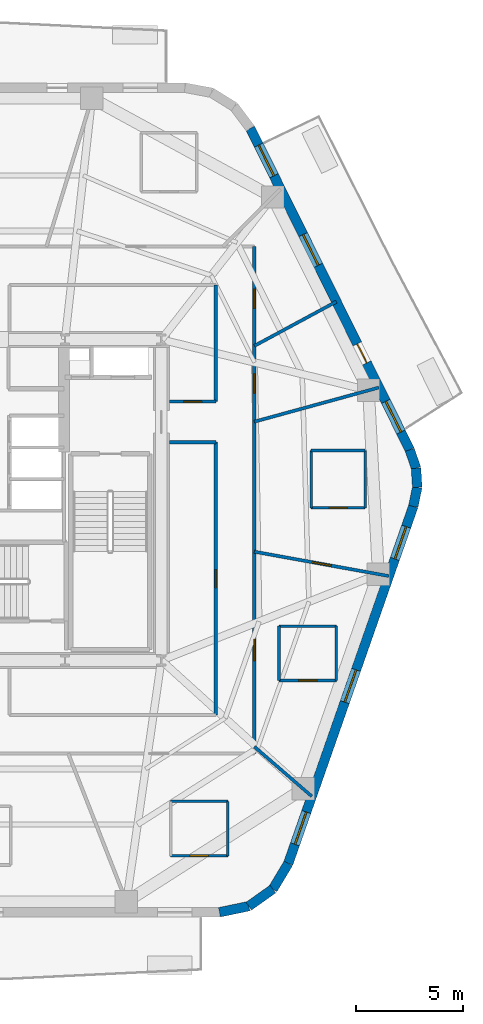
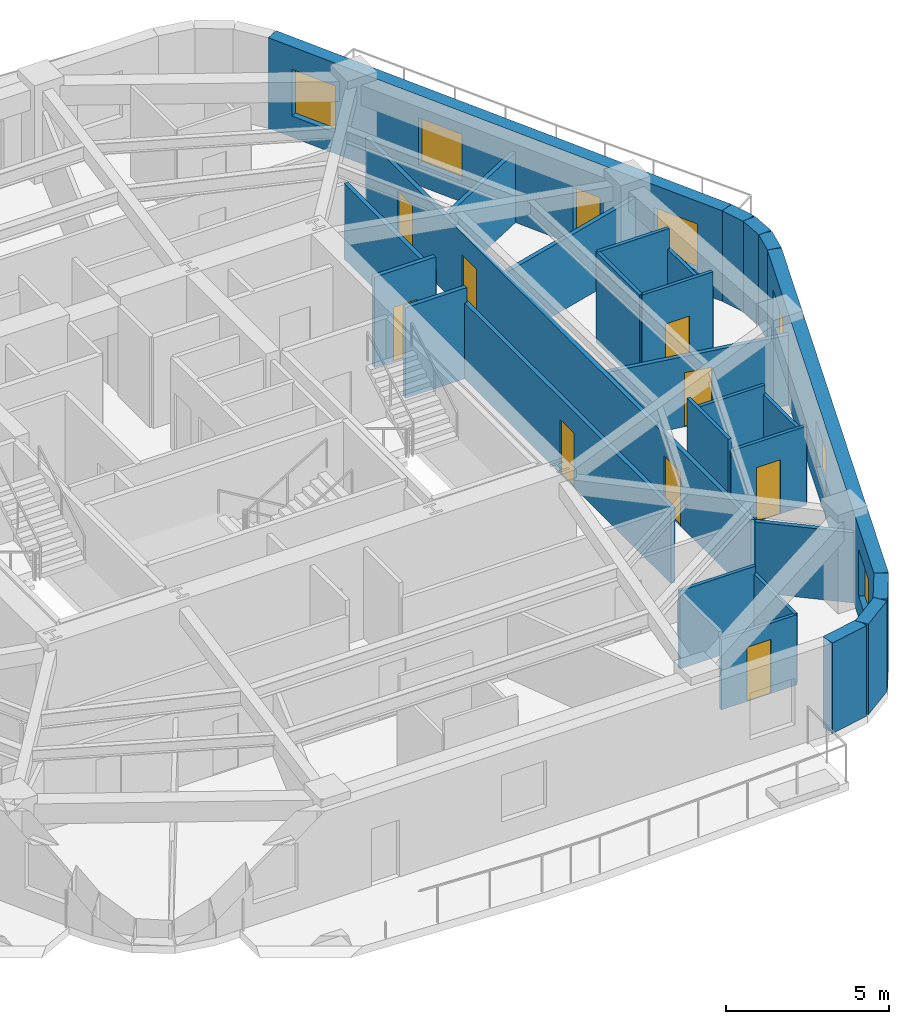
# One storey, part 5 of 10: 28 walls, 10 doors, 6 windows, 16 openings.
"""IFC4 building model written with IfcOpenShell, lengths in metres."""

from ifc_helpers import new_model, si_unit, direction, frame, frame_2d, origin, place, context, subcontext, project, spatial, rectangle, extrude, material, layer, layer_set, type_object, element, fill, save


model = new_model("IFC4")

# Units and contexts
model_context = context("Model", 3, precision=1e-05, world=origin(), true_north=direction((0.0, 1.0)))
body_context = subcontext(model_context, "Body", "Model", "MODEL_VIEW")
ifc_project = project(units=[si_unit("LENGTHUNIT", "METRE"), si_unit("AREAUNIT", "SQUARE_METRE"), si_unit("VOLUMEUNIT", "CUBIC_METRE"), si_unit("PLANEANGLEUNIT", "RADIAN"), si_unit("MASSUNIT", "GRAM", prefix="KILO")], contexts=[model_context])

# Site, building, storey
site_placement = place(None, origin())
site = spatial("IfcSite", under=ifc_project, at=site_placement, CompositionType="ELEMENT")
building_placement = place(site_placement, origin())
building = spatial("IfcBuilding", under=site, at=building_placement, Name="Kilnhurst Terrace Hotel", CompositionType="ELEMENT")
storey_placement = place(building_placement, frame((0.0, 0.0, 186.699951171875)))
storey = spatial("IfcBuildingStorey", under=building, at=storey_placement, Name="L46", CompositionType="ELEMENT", Elevation=186.699951171875)

# Walls
ifc_material_1 = material(Name="Precast concrete C40/50", Category="concrete")
ifc_layer_1 = layer(ifc_material_1, 0.449951171875, Name="Precast concrete C40/50")
ifc_layer_set_1 = layer_set([ifc_layer_1], Name="Precast concrete C40/50")
wall_type_1 = type_object("IfcWallType", Name="WL-BRK-450", PredefinedType="SOLIDWALL", material=ifc_layer_set_1)
wall_1_placement = place(storey_placement, frame((11.720458984375, -19.27490234375, 0.0), z_axis=(0.0, 0.0, 1.0), x_axis=(0.97893106758, 0.204191001093, 0.0)))
element("IfcWall", 1, at=wall_1_placement, inside=storey, type_object=wall_type_1, Name="L46 Rounded Corner Brick Wall C2.1", PredefinedType="SOLIDWALL", context=body_context, shape_type="SweptSolid", body=[
    extrude(rectangle(XDim=1.400146484375, YDim=0.449951171875, at=frame_2d((0.7001953125, 0.0))), origin(), (0.0, 0.0, 1.0), 3.400146484375),
])
wall_2_placement = place(storey_placement, frame((13.091064453125, -18.989013671875, 0.0), z_axis=(0.0, 0.0, 1.0), x_axis=(0.815574637848, 0.578651890258, 0.0)))
element("IfcWall", 2, at=wall_2_placement, inside=storey, type_object=wall_type_1, Name="L46 Rounded Corner Brick Wall C2.2", PredefinedType="SOLIDWALL", context=body_context, shape_type="SweptSolid", body=[
    extrude(rectangle(XDim=1.376708984375, YDim=0.449951171875, at=frame_2d((0.6884765625, 0.0))), origin(), (0.0, 0.0, 1.0), 3.400146484375),
])
wall_3_placement = place(storey_placement, frame((14.2138671875, -18.1923828125, 0.0), z_axis=(0.0, 0.0, 1.0), x_axis=(0.516340945502, 0.856383108193, 0.0)))
element("IfcWall", 3, at=wall_3_placement, inside=storey, type_object=wall_type_1, Name="L46 Rounded Corner Brick Wall C2.3", PredefinedType="SOLIDWALL", context=body_context, shape_type="SweptSolid", body=[
    extrude(rectangle(XDim=1.400146484375, YDim=0.449951171875, at=frame_2d((0.7001953125, 0.0))), origin(), (0.0, 0.0, 1.0), 3.400146484375),
])
wall_4_placement = place(storey_placement, frame((20.78173828125, -0.298095703125, 0.0), z_axis=(0.0, 0.0, 1.0), x_axis=(0.202570068411, 0.979267771033, 0.0)))
element("IfcWall", 4, at=wall_4_placement, inside=storey, type_object=wall_type_1, Name="L46 Rounded Corner Brick Wall C3.1", PredefinedType="SOLIDWALL", context=body_context, shape_type="SweptSolid", body=[
    extrude(rectangle(XDim=0.90869140625, YDim=0.449951171875, at=frame_2d((0.454345703125, 0.0))), origin(), (0.0, 0.0, 1.0), 3.400146484375),
])
wall_5_placement = place(storey_placement, frame((20.9658203125, 0.591796875, 0.0), z_axis=(0.0, 0.0, 1.0), x_axis=(-0.061748898935, 0.998091715966, 0.0)))
element("IfcWall", 5, at=wall_5_placement, inside=storey, type_object=wall_type_1, Name="L46 Rounded Corner Brick Wall C3.2", PredefinedType="SOLIDWALL", context=body_context, shape_type="SweptSolid", body=[
    extrude(rectangle(XDim=0.8935546875, YDim=0.449951171875, at=frame_2d((0.44677734375, 0.0))), origin(), (0.0, 0.0, 1.0), 3.400146484375),
])
wall_6_placement = place(storey_placement, frame((20.91064453125, 1.483642578125, 0.0), z_axis=(0.0, 0.0, 1.0), x_axis=(-0.321623334353, 0.946867694453, 0.0)))
element("IfcWall", 6, at=wall_6_placement, inside=storey, type_object=wall_type_1, Name="L46 Rounded Corner Brick Wall C3.3", PredefinedType="SOLIDWALL", context=body_context, shape_type="SweptSolid", body=[
    extrude(rectangle(XDim=0.90869140625, YDim=0.449951171875, at=frame_2d((0.454345703125, 0.0))), origin(), (0.0, 0.0, 1.0), 3.400146484375),
])

# Wall, openings, windows
wall_7_placement = place(storey_placement, frame((14.936767578125, -16.993408203125, 0.0), z_axis=(0.0, 0.0, 1.0), x_axis=(0.330431575061, 0.943829949834, 0.0)))
wall_7 = element("IfcWall", 7, at=wall_7_placement, inside=storey, type_object=wall_type_1, Name="L46 Exterior Brick Facade Wall F2", PredefinedType="SOLIDWALL", context=body_context, shape_type="SweptSolid", body=[
    extrude(rectangle(XDim=17.68896484375, YDim=0.449951171875, at=frame_2d((8.844482421875, 0.0))), origin(), (0.0, 0.0, 1.0), 3.400146484375),
])
opening_1_placement = place(wall_7_placement, frame((0.949951171875, 0.0, 0.800048828125)))
opening_1 = element("IfcOpeningElement", 8, at=opening_1_placement, cuts=wall_7, Name="Opening W-05", PredefinedType="OPENING", context=body_context, shape_type="SweptSolid", body=[
    extrude(rectangle(XDim=1.60009765625, YDim=1.75, at=frame_2d((0.800048828125, 0.875))), frame((0.0, 0.23486328125, 0.0), z_axis=(0.0, -1.0, 0.0), x_axis=(1.0, 0.0, 0.0)), (0.0, 0.0, 1.0), 0.469970703125),
])
opening_2_placement = place(wall_7_placement, frame((7.989990234375, 0.0, 0.800048828125)))
opening_2 = element("IfcOpeningElement", 9, at=opening_2_placement, cuts=wall_7, Name="Opening W-05", PredefinedType="OPENING", context=body_context, shape_type="SweptSolid", body=[
    extrude(rectangle(XDim=1.60009765625, YDim=1.75, at=frame_2d((0.800048828125, 0.875))), frame((0.0, 0.23486328125, 0.0), z_axis=(0.0, -1.0, 0.0), x_axis=(1.0, 0.0, 0.0)), (0.0, 0.0, 1.0), 0.469970703125),
])
opening_3_placement = place(wall_7_placement, frame((15.083984375, 0.0, 0.800048828125)))
opening_3 = element("IfcOpeningElement", 10, at=opening_3_placement, cuts=wall_7, Name="Opening W-05", PredefinedType="OPENING", context=body_context, shape_type="SweptSolid", body=[
    extrude(rectangle(XDim=1.60009765625, YDim=1.75, at=frame_2d((0.800048828125, 0.875))), frame((0.0, 0.23486328125, 0.0), z_axis=(0.0, -1.0, 0.0), x_axis=(1.0, 0.0, 0.0)), (0.0, 0.0, 1.0), 0.469970703125),
])
ifc_material_2 = material(Name="Thermally Broken Bronze Aluminium Alloy 6063-T6 and Low-E Glass", Category="aluminium")
window_type = type_object("IfcWindowType", Name="WIN-1600X1750", PartitioningType="SINGLE_PANEL", PredefinedType="WINDOW", material=ifc_material_2)
window_1_placement = place(opening_1_placement, origin())
window_1 = element("IfcWindow", 11, at=window_1_placement, inside=storey, type_object=window_type, Name="L46 Deep-Set Masonry Window F2.1", OverallHeight=1.75, OverallWidth=1.60009765625, PartitioningType="SINGLE_PANEL", PredefinedType="WINDOW", context=body_context, shape_type="SweptSolid", body=[
    extrude(rectangle(XDim=1.60009765625, YDim=1.75, at=frame_2d((0.800048828125, 0.875))), frame((0.0, 0.030029296875, 0.0), z_axis=(0.0, -1.0, 0.0), x_axis=(1.0, 0.0, 0.0)), (0.0, 0.0, 1.0), 0.06005859375),
])
fill(opening_1, window_1)
window_2_placement = place(opening_2_placement, origin())
window_2 = element("IfcWindow", 12, at=window_2_placement, inside=storey, type_object=window_type, Name="L46 Deep-Set Masonry Window F2.2", OverallHeight=1.75, OverallWidth=1.60009765625, PartitioningType="SINGLE_PANEL", PredefinedType="WINDOW", context=body_context, shape_type="SweptSolid", body=[
    extrude(rectangle(XDim=1.60009765625, YDim=1.75, at=frame_2d((0.800048828125, 0.875))), frame((0.0, 0.030029296875, 0.0), z_axis=(0.0, -1.0, 0.0), x_axis=(1.0, 0.0, 0.0)), (0.0, 0.0, 1.0), 0.06005859375),
])
fill(opening_2, window_2)
window_3_placement = place(opening_3_placement, origin())
window_3 = element("IfcWindow", 13, at=window_3_placement, inside=storey, type_object=window_type, Name="L46 Deep-Set Masonry Window F2.3", OverallHeight=1.75, OverallWidth=1.60009765625, PartitioningType="SINGLE_PANEL", PredefinedType="WINDOW", context=body_context, shape_type="SweptSolid", body=[
    extrude(rectangle(XDim=1.60009765625, YDim=1.75, at=frame_2d((0.800048828125, 0.875))), frame((0.0, 0.030029296875, 0.0), z_axis=(0.0, -1.0, 0.0), x_axis=(1.0, 0.0, 0.0)), (0.0, 0.0, 1.0), 0.06005859375),
])
fill(opening_3, window_3)

# Wall, openings, door, windows
wall_8_placement = place(storey_placement, frame((20.618408203125, 2.343994140625, 0.0), z_axis=(0.0, 0.0, 1.0), x_axis=(-0.444243691097, 0.895905990002, 0.0)))
wall_8 = element("IfcWall", 14, at=wall_8_placement, inside=storey, type_object=wall_type_1, Name="L46 Exterior Brick Facade Wall F3", PredefinedType="SOLIDWALL", context=body_context, shape_type="SweptSolid", body=[
    extrude(rectangle(XDim=16.78369140625, YDim=0.449951171875, at=frame_2d((8.391845703125, 0.0))), origin(), (0.0, 0.0, 1.0), 3.400146484375),
])
opening_4_placement = place(wall_8_placement, frame((4.534912109375, 0.0, 0.0)))
opening_4 = element("IfcOpeningElement", 15, at=opening_4_placement, cuts=wall_8, Name="Opening BD-1000", PredefinedType="OPENING", context=body_context, shape_type="SweptSolid", body=[
    extrude(rectangle(XDim=1.0, YDim=2.14990234375, at=frame_2d((0.5, 1.074951171875))), frame((0.0, 0.23486328125, 0.0), z_axis=(0.0, -1.0, 0.0), x_axis=(1.0, 0.0, 0.0)), (0.0, 0.0, 1.0), 0.469970703125),
])
opening_5_placement = place(wall_8_placement, frame((9.633056640625, 0.0, 0.800048828125)))
opening_5 = element("IfcOpeningElement", 16, at=opening_5_placement, cuts=wall_8, Name="Opening W-05", PredefinedType="OPENING", context=body_context, shape_type="SweptSolid", body=[
    extrude(rectangle(XDim=1.60009765625, YDim=1.75, at=frame_2d((0.800048828125, 0.875))), frame((0.0, 0.23486328125, 0.0), z_axis=(0.0, -1.0, 0.0), x_axis=(1.0, 0.0, 0.0)), (0.0, 0.0, 1.0), 0.469970703125),
])
opening_6_placement = place(wall_8_placement, frame((14.302978515625, 0.0, 0.800048828125)))
opening_6 = element("IfcOpeningElement", 17, at=opening_6_placement, cuts=wall_8, Name="Opening W-05", PredefinedType="OPENING", context=body_context, shape_type="SweptSolid", body=[
    extrude(rectangle(XDim=1.60009765625, YDim=1.75, at=frame_2d((0.800048828125, 0.875))), frame((0.0, 0.23486328125, 0.0), z_axis=(0.0, -1.0, 0.0), x_axis=(1.0, 0.0, 0.0)), (0.0, 0.0, 1.0), 0.469970703125),
])
opening_7_placement = place(wall_8_placement, frame((0.930908203125, 0.0, 0.800048828125)))
opening_7 = element("IfcOpeningElement", 18, at=opening_7_placement, cuts=wall_8, Name="Opening W-05", PredefinedType="OPENING", context=body_context, shape_type="SweptSolid", body=[
    extrude(rectangle(XDim=1.60009765625, YDim=1.75, at=frame_2d((0.800048828125, 0.875))), frame((0.0, 0.23486328125, 0.0), z_axis=(0.0, -1.0, 0.0), x_axis=(1.0, 0.0, 0.0)), (0.0, 0.0, 1.0), 0.469970703125),
])
ifc_material_3 = material(Name="Thermally Broken Bronze Aluminium Alloy 6063-T6 and Laminated Glass", Category="aluminium")
door_type_1 = type_object("IfcDoorType", Name="DR-EXT-BAL-1000", OperationType="NOTDEFINED", PredefinedType="DOOR", material=ifc_material_3)
door_1_placement = place(opening_4_placement, origin())
door_1 = element("IfcDoor", 19, at=door_1_placement, inside=storey, type_object=door_type_1, Name="L46 Planted Balcony Door BAL-L1A", OperationType="SINGLE_SWING_LEFT", OverallHeight=2.14990234375, OverallWidth=1.0, PredefinedType="DOOR", context=body_context, shape_type="SweptSolid", body=[
    extrude(rectangle(XDim=1.0, YDim=2.14990234375, at=frame_2d((0.5, 1.074951171875))), frame((0.0, 0.02490234375, 0.0), z_axis=(0.0, -1.0, 0.0), x_axis=(1.0, 0.0, 0.0)), (0.0, 0.0, 1.0), 0.050048828125),
])
fill(opening_4, door_1)
window_4_placement = place(opening_5_placement, origin())
window_4 = element("IfcWindow", 20, at=window_4_placement, inside=storey, type_object=window_type, Name="L46 Deep-Set Masonry Window F3.1", OverallHeight=1.75, OverallWidth=1.60009765625, PartitioningType="SINGLE_PANEL", PredefinedType="WINDOW", context=body_context, shape_type="SweptSolid", body=[
    extrude(rectangle(XDim=1.60009765625, YDim=1.75, at=frame_2d((0.800048828125, 0.875))), frame((0.0, 0.030029296875, 0.0), z_axis=(0.0, -1.0, 0.0), x_axis=(1.0, 0.0, 0.0)), (0.0, 0.0, 1.0), 0.06005859375),
])
fill(opening_5, window_4)
window_5_placement = place(opening_6_placement, origin())
window_5 = element("IfcWindow", 21, at=window_5_placement, inside=storey, type_object=window_type, Name="L46 Deep-Set Masonry Window F3.2", OverallHeight=1.75, OverallWidth=1.60009765625, PartitioningType="SINGLE_PANEL", PredefinedType="WINDOW", context=body_context, shape_type="SweptSolid", body=[
    extrude(rectangle(XDim=1.60009765625, YDim=1.75, at=frame_2d((0.800048828125, 0.875))), frame((0.0, 0.030029296875, 0.0), z_axis=(0.0, -1.0, 0.0), x_axis=(1.0, 0.0, 0.0)), (0.0, 0.0, 1.0), 0.06005859375),
])
fill(opening_6, window_5)
window_6_placement = place(opening_7_placement, origin())
window_6 = element("IfcWindow", 22, at=window_6_placement, inside=storey, type_object=window_type, Name="L46 Deep-Set Masonry Window F3.3", OverallHeight=1.75, OverallWidth=1.60009765625, PartitioningType="SINGLE_PANEL", PredefinedType="WINDOW", context=body_context, shape_type="SweptSolid", body=[
    extrude(rectangle(XDim=1.60009765625, YDim=1.75, at=frame_2d((0.800048828125, 0.875))), frame((0.0, 0.030029296875, 0.0), z_axis=(0.0, -1.0, 0.0), x_axis=(1.0, 0.0, 0.0)), (0.0, 0.0, 1.0), 0.06005859375),
])
fill(opening_7, window_6)

# Wall, openings, doors
ifc_material_4 = material(Name="Acoustic Double-Gypsum Corridor Partition Assembly")
ifc_layer_2 = layer(ifc_material_4, 0.14990234375, Name="Acoustic Double-Gypsum Corridor Partition Assembly")
ifc_layer_set_2 = layer_set([ifc_layer_2], Name="Acoustic Double-Gypsum Corridor Partition Assembly")
wall_type_2 = type_object("IfcWallType", Name="WL-COR-150", PredefinedType="PARTITIONING", material=ifc_layer_set_2)
wall_9_placement = place(storey_placement, frame((13.35009765625, 11.85009765625, 0.0), z_axis=(0.0, 0.0, 1.0), x_axis=(0.0, -1.0, 0.0)))
wall_9 = element("IfcWall", 23, at=wall_9_placement, inside=storey, type_object=wall_type_2, Name="L46 Interior Wall WL-L46-COR-04", PredefinedType="PARTITIONING", context=body_context, shape_type="SweptSolid", body=[
    extrude(rectangle(XDim=23.7001953125, YDim=0.14990234375, at=frame_2d((11.85009765625, 0.0))), origin(), (0.0, 0.0, 1.0), 2.840087890625),
])
opening_8_placement = place(wall_9_placement, frame((5.950927734375, 0.0, 0.0)))
opening_8 = element("IfcOpeningElement", 24, at=opening_8_placement, cuts=wall_9, Name="Opening D-60C", PredefinedType="OPENING", context=body_context, shape_type="SweptSolid", body=[
    extrude(rectangle(XDim=0.89990234375, YDim=2.030029296875, at=frame_2d((0.449951171875, 1.01513671875))), frame((0.0, 0.0849609375, 0.0), z_axis=(0.0, -1.0, 0.0), x_axis=(1.0, 0.0, 0.0)), (0.0, 0.0, 1.0), 0.169921875),
])
opening_9_placement = place(wall_9_placement, frame((1.992919921875, 0.0, 0.0)))
opening_9 = element("IfcOpeningElement", 25, at=opening_9_placement, cuts=wall_9, Name="Opening D-60C", PredefinedType="OPENING", context=body_context, shape_type="SweptSolid", body=[
    extrude(rectangle(XDim=0.89990234375, YDim=2.030029296875, at=frame_2d((0.449951171875, 1.01513671875))), frame((0.0, 0.0849609375, 0.0), z_axis=(0.0, -1.0, 0.0), x_axis=(1.0, 0.0, 0.0)), (0.0, 0.0, 1.0), 0.169921875),
])
opening_10_placement = place(wall_9_placement, frame((18.364013671875, 0.0, 0.0)))
opening_10 = element("IfcOpeningElement", 26, at=opening_10_placement, cuts=wall_9, Name="Opening D-60A", PredefinedType="OPENING", context=body_context, shape_type="SweptSolid", body=[
    extrude(rectangle(XDim=1.0, YDim=2.030029296875, at=frame_2d((0.5, 1.01513671875))), frame((0.0, 0.0849609375, 0.0), z_axis=(0.0, -1.0, 0.0), x_axis=(1.0, 0.0, 0.0)), (0.0, 0.0, 1.0), 0.169921875),
])
ifc_material_5 = material(Name="Acoustic Walnut Veneer Solid-Core Fire Door")
door_type_2 = type_object("IfcDoorType", Name="DR-FD60-1000", OperationType="NOTDEFINED", PredefinedType="DOOR", material=ifc_material_5)
door_2_placement = place(opening_10_placement, origin())
door_2 = element("IfcDoor", 27, at=door_2_placement, inside=storey, type_object=door_type_2, Name="L46 Sky Residence Entry Door 13", OperationType="SINGLE_SWING_LEFT", OverallHeight=2.030029296875, OverallWidth=1.0, PredefinedType="DOOR", context=body_context, shape_type="SweptSolid", body=[
    extrude(rectangle(XDim=1.0, YDim=2.030029296875, at=frame_2d((0.5, 1.01513671875))), frame((0.0, 0.02490234375, 0.0), z_axis=(0.0, -1.0, 0.0), x_axis=(1.0, 0.0, 0.0)), (0.0, 0.0, 1.0), 0.050048828125),
])
fill(opening_10, door_2)
ifc_material_6 = material(Name="Painted Solid-Core Service Fire Door")
door_type_3 = type_object("IfcDoorType", Name="DR-FD60-900", OperationType="NOTDEFINED", PredefinedType="DOOR", material=ifc_material_6)
door_3_placement = place(opening_8_placement, origin())
door_3 = element("IfcDoor", 28, at=door_3_placement, inside=storey, type_object=door_type_3, Name="L46 Private Study Salon Door 1", OperationType="SINGLE_SWING_LEFT", OverallHeight=2.030029296875, OverallWidth=0.89990234375, PredefinedType="DOOR", context=body_context, shape_type="SweptSolid", body=[
    extrude(rectangle(XDim=0.89990234375, YDim=2.030029296875, at=frame_2d((0.449951171875, 1.01513671875))), frame((0.0, 0.02490234375, 0.0), z_axis=(0.0, -1.0, 0.0), x_axis=(1.0, 0.0, 0.0)), (0.0, 0.0, 1.0), 0.050048828125),
])
fill(opening_8, door_3)
door_4_placement = place(opening_9_placement, origin())
door_4 = element("IfcDoor", 29, at=door_4_placement, inside=storey, type_object=door_type_3, Name="L46 Executive Work Office Door 2", OperationType="SINGLE_SWING_RIGHT", OverallHeight=2.030029296875, OverallWidth=0.89990234375, PredefinedType="DOOR", context=body_context, shape_type="SweptSolid", body=[
    extrude(rectangle(XDim=0.89990234375, YDim=2.030029296875, at=frame_2d((0.449951171875, 1.01513671875))), frame((0.0, 0.02490234375, 0.0), z_axis=(0.0, -1.0, 0.0), x_axis=(1.0, 0.0, 0.0)), (0.0, 0.0, 1.0), 0.050048828125),
])
fill(opening_9, door_4)

# Wall, opening, door
wall_10_placement = place(storey_placement, frame((11.550048828125, -10.050048828125, 0.0), z_axis=(0.0, 0.0, 1.0), x_axis=(0.0, 1.0, 0.0)))
wall_10 = element("IfcWall", 30, at=wall_10_placement, inside=storey, type_object=wall_type_2, Name="L46 Interior Wall WL-L46-COR-05", PredefinedType="PARTITIONING", context=body_context, shape_type="SweptSolid", body=[
    extrude(rectangle(XDim=12.75, YDim=0.14990234375, at=frame_2d((6.375, 0.0))), origin(), (0.0, 0.0, 1.0), 2.840087890625),
])
opening_11_placement = place(wall_10_placement, frame((5.949951171875, 0.0, 0.0)))
opening_11 = element("IfcOpeningElement", 31, at=opening_11_placement, cuts=wall_10, Name="Opening D-60D", PredefinedType="OPENING", context=body_context, shape_type="SweptSolid", body=[
    extrude(rectangle(XDim=0.85009765625, YDim=2.030029296875, at=frame_2d((0.425048828125, 1.01513671875))), frame((0.0, 0.0849609375, 0.0), z_axis=(0.0, -1.0, 0.0), x_axis=(1.0, 0.0, 0.0)), (0.0, 0.0, 1.0), 0.169921875),
])
ifc_material_7 = material(Name="Painted Hollow Metal Steel ASTM A36 Riser Door", Category="steel")
door_type_4 = type_object("IfcDoorType", Name="DR-FD60-850", OperationType="NOTDEFINED", PredefinedType="DOOR", material=ifc_material_7)
door_5_placement = place(opening_11_placement, origin())
door_5 = element("IfcDoor", 32, at=door_5_placement, inside=storey, type_object=door_type_4, Name="L46 Floor Electrical Switch Room Door", OperationType="SINGLE_SWING_RIGHT", OverallHeight=2.030029296875, OverallWidth=0.85009765625, PredefinedType="DOOR", context=body_context, shape_type="SweptSolid", body=[
    extrude(rectangle(XDim=0.85009765625, YDim=2.030029296875, at=frame_2d((0.425048828125, 1.01513671875))), frame((0.0, 0.02490234375, 0.0), z_axis=(0.0, -1.0, 0.0), x_axis=(1.0, 0.0, 0.0)), (0.0, 0.0, 1.0), 0.050048828125),
])
fill(opening_11, door_5)

# Wall
wall_11_placement = place(storey_placement, frame((11.550048828125, 2.699951171875, 0.0), z_axis=(0.0, 0.0, 1.0), x_axis=(-1.0, 0.0, 0.0)))
element("IfcWall", 33, at=wall_11_placement, inside=storey, type_object=wall_type_2, Name="L46 Interior Wall WL-L46-COR-06", PredefinedType="PARTITIONING", context=body_context, shape_type="SweptSolid", body=[
    extrude(rectangle(XDim=2.175048828125, YDim=0.14990234375, at=frame_2d((1.08740234375, 0.0))), origin(), (0.0, 0.0, 1.0), 3.400146484375),
])

# Wall, opening, door
wall_12_placement = place(storey_placement, frame((9.375, 4.60009765625, 0.0), z_axis=(0.0, 0.0, 1.0), x_axis=(1.0, 0.0, 0.0)))
wall_12 = element("IfcWall", 34, at=wall_12_placement, inside=storey, type_object=wall_type_2, Name="L46 Interior Wall WL-L46-COR-07", PredefinedType="PARTITIONING", context=body_context, shape_type="SweptSolid", body=[
    extrude(rectangle(XDim=2.175048828125, YDim=0.14990234375, at=frame_2d((1.08740234375, 0.0))), origin(), (0.0, 0.0, 1.0), 3.400146484375),
])
opening_12_placement = place(wall_12_placement, frame((0.6630859375, 0.0, 0.0)))
opening_12 = element("IfcOpeningElement", 35, at=opening_12_placement, cuts=wall_12, Name="Opening D-60D", PredefinedType="OPENING", context=body_context, shape_type="SweptSolid", body=[
    extrude(rectangle(XDim=0.85009765625, YDim=2.030029296875, at=frame_2d((0.425048828125, 1.01513671875))), frame((0.0, 0.0849609375, 0.0), z_axis=(0.0, -1.0, 0.0), x_axis=(1.0, 0.0, 0.0)), (0.0, 0.0, 1.0), 0.169921875),
])
door_6_placement = place(opening_12_placement, origin())
door_6 = element("IfcDoor", 36, at=door_6_placement, inside=storey, type_object=door_type_4, Name="L46 Floor Beverage Service Room Door", OperationType="SINGLE_SWING_LEFT", OverallHeight=2.030029296875, OverallWidth=0.85009765625, PredefinedType="DOOR", context=body_context, shape_type="SweptSolid", body=[
    extrude(rectangle(XDim=0.85009765625, YDim=2.030029296875, at=frame_2d((0.425048828125, 1.01513671875))), frame((0.0, 0.02490234375, 0.0), z_axis=(0.0, -1.0, 0.0), x_axis=(1.0, 0.0, 0.0)), (0.0, 0.0, 1.0), 0.050048828125),
])
fill(opening_12, door_6)

# Walls
wall_13_placement = place(storey_placement, frame((11.550048828125, 4.60009765625, 0.0), z_axis=(0.0, 0.0, 1.0), x_axis=(0.0, 1.0, 0.0)))
element("IfcWall", 37, at=wall_13_placement, inside=storey, type_object=wall_type_2, Name="L46 Interior Wall WL-L46-COR-08", PredefinedType="PARTITIONING", context=body_context, shape_type="SweptSolid", body=[
    extrude(rectangle(XDim=5.449951171875, YDim=0.14990234375, at=frame_2d((2.72509765625, 0.0))), origin(), (0.0, 0.0, 1.0), 2.840087890625),
])
ifc_material_8 = material(Name="STC-58 Acoustic Twin-Frame Guestroom Demising Partition")
ifc_layer_3 = layer(ifc_material_8, 0.14990234375, Name="STC-58 Acoustic Twin-Frame Guestroom Demising Partition")
ifc_layer_set_3 = layer_set([ifc_layer_3], Name="STC-58 Acoustic Twin-Frame Guestroom Demising Partition")
wall_type_3 = type_object("IfcWallType", Name="WL-DEM-150", PredefinedType="PARTITIONING", material=ifc_layer_set_3)
wall_14_placement = place(storey_placement, frame((13.35009765625, 3.66064453125, 0.0), z_axis=(0.0, 0.0, 1.0), x_axis=(0.964397145454, 0.264458211898, 0.0)))
element("IfcWall", 38, at=wall_14_placement, inside=storey, type_object=wall_type_3, Name="L46 Interior Wall WL-L46-DEM-COL01-01-1", PredefinedType="PARTITIONING", context=body_context, shape_type="SweptSolid", body=[
    extrude(rectangle(XDim=6.03857421875, YDim=0.14990234375, at=frame_2d((3.019287109375, 0.0))), origin(), (0.0, 0.0, 1.0), 2.64013671875),
])
wall_15_placement = place(storey_placement, frame((13.35009765625, 7.2041015625, 0.0), z_axis=(0.0, 0.0, 1.0), x_axis=(0.880033329067, 0.474911928394, 0.0)))
element("IfcWall", 39, at=wall_15_placement, inside=storey, type_object=wall_type_3, Name="L46 Interior Wall WL-L46-DEM-MID01-02-1", PredefinedType="PARTITIONING", context=body_context, shape_type="SweptSolid", body=[
    extrude(rectangle(XDim=4.355224609375, YDim=0.14990234375, at=frame_2d((2.177734375, 0.0))), origin(), (0.0, 0.0, 1.0), 2.64013671875),
])
wall_16_placement = place(storey_placement, frame((13.35009765625, -11.53271484375, 0.0), z_axis=(0.0, 0.0, 1.0), x_axis=(0.756711647314, -0.65374879183, 0.0)))
element("IfcWall", 40, at=wall_16_placement, inside=storey, type_object=wall_type_3, Name="L46 Interior Wall WL-L46-DEM-COL11-13-1", PredefinedType="PARTITIONING", context=body_context, shape_type="SweptSolid", body=[
    extrude(rectangle(XDim=3.549560546875, YDim=0.14990234375, at=frame_2d((1.77490234375, 0.0))), origin(), (0.0, 0.0, 1.0), 2.64013671875),
])

# Wall, opening, door
wall_17_placement = place(storey_placement, frame((13.35009765625, -2.417236328125, 0.0), z_axis=(0.0, 0.0, 1.0), x_axis=(0.98399796473, -0.178179699761, 0.0)))
wall_17 = element("IfcWall", 41, at=wall_17_placement, inside=storey, type_object=wall_type_3, Name="L46 Interior Wall WL-L46-DEM-COL12-14-1", PredefinedType="PARTITIONING", context=body_context, shape_type="SweptSolid", body=[
    extrude(rectangle(XDim=6.393310546875, YDim=0.14990234375, at=frame_2d((3.19677734375, 0.0))), origin(), (0.0, 0.0, 1.0), 2.64013671875),
])
opening_13_placement = place(wall_17_placement, frame((2.7470703125, 0.0, 0.0)))
opening_13 = element("IfcOpeningElement", 42, at=opening_13_placement, cuts=wall_17, Name="Opening D-09B", PredefinedType="OPENING", context=body_context, shape_type="SweptSolid", body=[
    extrude(rectangle(XDim=0.89990234375, YDim=2.030029296875, at=frame_2d((0.449951171875, 1.01513671875))), frame((0.0, 0.0849609375, 0.0), z_axis=(0.0, -1.0, 0.0), x_axis=(1.0, 0.0, 0.0)), (0.0, 0.0, 1.0), 0.169921875),
])
ifc_material_9 = material(Name="Moisture-Resistant Solid-Core Restroom Door")
door_type_5 = type_object("IfcDoorType", Name="DR-INT-900", OperationType="NOTDEFINED", PredefinedType="DOOR", material=ifc_material_9)
door_7_placement = place(opening_13_placement, origin())
door_7 = element("IfcDoor", 43, at=door_7_placement, inside=storey, type_object=door_type_5, Name="L46 Sky Residence Bedroom Door 13", OperationType="SINGLE_SWING_LEFT", OverallHeight=2.030029296875, OverallWidth=0.89990234375, PredefinedType="DOOR", context=body_context, shape_type="SweptSolid", body=[
    extrude(rectangle(XDim=0.89990234375, YDim=2.030029296875, at=frame_2d((0.449951171875, 1.01513671875))), frame((0.0, 0.02490234375, 0.0), z_axis=(0.0, -1.0, 0.0), x_axis=(1.0, 0.0, 0.0)), (0.0, 0.0, 1.0), 0.050048828125),
])
fill(opening_13, door_7)

ifc_material_10 = material(Name="120 mm Moisture-Resistant Tile-Backed Bathroom Partition")
ifc_layer_4 = layer(ifc_material_10, 0.1201171875, Name="120 mm Moisture-Resistant Tile-Backed Bathroom Partition")
ifc_layer_set_4 = layer_set([ifc_layer_4], Name="120 mm Moisture-Resistant Tile-Backed Bathroom Partition")
wall_type_4 = type_object("IfcWallType", Name="WL-PART-120", PredefinedType="PARTITIONING", material=ifc_layer_set_4)
wall_18_placement = place(storey_placement, frame((9.43603515625, -16.632080078125, 0.0), z_axis=(0.0, 0.0, 1.0), x_axis=(1.0, 0.0, 0.0)))
wall_18 = element("IfcWall", 44, at=wall_18_placement, inside=storey, type_object=wall_type_4, Name="L46 Interior Wall WL-L46-BTH-12-1", PredefinedType="PARTITIONING", context=body_context, shape_type="SweptSolid", body=[
    extrude(rectangle(XDim=2.679931640625, YDim=0.1201171875, at=frame_2d((1.33984375, 0.0))), origin(), (0.0, 0.0, 1.0), 2.64013671875),
])
opening_14_placement = place(wall_18_placement, frame((0.9150390625, 0.0, 0.0)))
opening_14 = element("IfcOpeningElement", 45, at=opening_14_placement, cuts=wall_18, Name="Opening D-08A", PredefinedType="OPENING", context=body_context, shape_type="SweptSolid", body=[
    extrude(rectangle(XDim=0.85009765625, YDim=2.030029296875, at=frame_2d((0.425048828125, 1.01513671875))), frame((0.0, 0.070068359375, 0.0), z_axis=(0.0, -1.0, 0.0), x_axis=(1.0, 0.0, 0.0)), (0.0, 0.0, 1.0), 0.14013671875),
])
ifc_material_11 = material(Name="Moisture-Resistant Lacquered En-suite Bathroom Door")
door_type_6 = type_object("IfcDoorType", Name="DR-INT-850", OperationType="NOTDEFINED", PredefinedType="DOOR", material=ifc_material_11)
door_8_placement = place(opening_14_placement, origin())
door_8 = element("IfcDoor", 46, at=door_8_placement, inside=storey, type_object=door_type_6, Name="L46 En-suite Bathroom Door 12", OperationType="SINGLE_SWING_LEFT", OverallHeight=2.030029296875, OverallWidth=0.85009765625, PredefinedType="DOOR", context=body_context, shape_type="SweptSolid", body=[
    extrude(rectangle(XDim=0.85009765625, YDim=2.030029296875, at=frame_2d((0.425048828125, 1.01513671875))), frame((0.0, 0.02490234375, 0.0), z_axis=(0.0, -1.0, 0.0), x_axis=(1.0, 0.0, 0.0)), (0.0, 0.0, 1.0), 0.050048828125),
])
fill(opening_14, door_8)

# Walls
wall_19_placement = place(storey_placement, frame((12.115966796875, -16.632080078125, 0.0), z_axis=(0.0, 0.0, 1.0), x_axis=(0.0, 1.0, 0.0)))
element("IfcWall", 47, at=wall_19_placement, inside=storey, type_object=wall_type_4, Name="L46 Interior Wall WL-L46-BTH-12-2", PredefinedType="PARTITIONING", context=body_context, shape_type="SweptSolid", body=[
    extrude(rectangle(XDim=2.5400390625, YDim=0.1201171875, at=frame_2d((1.27001953125, 0.0))), origin(), (0.0, 0.0, 1.0), 2.64013671875),
])
wall_20_placement = place(storey_placement, frame((12.115966796875, -14.092041015625, 0.0), z_axis=(0.0, 0.0, 1.0), x_axis=(-1.0, 0.0, 0.0)))
element("IfcWall", 48, at=wall_20_placement, inside=storey, type_object=wall_type_4, Name="L46 Interior Wall WL-L46-BTH-12-3", PredefinedType="PARTITIONING", context=body_context, shape_type="SweptSolid", body=[
    extrude(rectangle(XDim=2.679931640625, YDim=0.1201171875, at=frame_2d((1.33984375, 0.0))), origin(), (0.0, 0.0, 1.0), 2.926513671875),
])

# Wall, opening, door
wall_21_placement = place(storey_placement, frame((14.5029296875, -8.43896484375, 0.0), z_axis=(0.0, 0.0, 1.0), x_axis=(1.0, 0.0, 0.0)))
wall_21 = element("IfcWall", 49, at=wall_21_placement, inside=storey, type_object=wall_type_4, Name="L46 Interior Wall WL-L46-KIT-13-1", PredefinedType="PARTITIONING", context=body_context, shape_type="SweptSolid", body=[
    extrude(rectangle(XDim=2.68017578125, YDim=0.1201171875, at=frame_2d((1.340087890625, 0.0))), origin(), (0.0, 0.0, 1.0), 2.972412109375),
])
opening_15_placement = place(wall_21_placement, frame((0.9150390625, 0.0, 0.0)))
opening_15 = element("IfcOpeningElement", 50, at=opening_15_placement, cuts=wall_21, Name="Opening D-08A", PredefinedType="OPENING", context=body_context, shape_type="SweptSolid", body=[
    extrude(rectangle(XDim=0.85009765625, YDim=2.030029296875, at=frame_2d((0.425048828125, 1.01513671875))), frame((0.0, 0.070068359375, 0.0), z_axis=(0.0, -1.0, 0.0), x_axis=(1.0, 0.0, 0.0)), (0.0, 0.0, 1.0), 0.14013671875),
])
door_9_placement = place(opening_15_placement, origin())
door_9 = element("IfcDoor", 51, at=door_9_placement, inside=storey, type_object=door_type_6, Name="L46 Sky Residence Kitchen Door 13", OperationType="SINGLE_SWING_RIGHT", OverallHeight=2.030029296875, OverallWidth=0.85009765625, PredefinedType="DOOR", context=body_context, shape_type="SweptSolid", body=[
    extrude(rectangle(XDim=0.85009765625, YDim=2.030029296875, at=frame_2d((0.425048828125, 1.01513671875))), frame((0.0, 0.02490234375, 0.0), z_axis=(0.0, -1.0, 0.0), x_axis=(1.0, 0.0, 0.0)), (0.0, 0.0, 1.0), 0.050048828125),
])
fill(opening_15, door_9)

# Walls
wall_22_placement = place(storey_placement, frame((17.18310546875, -8.43896484375, 0.0), z_axis=(0.0, 0.0, 1.0), x_axis=(0.0, 1.0, 0.0)))
element("IfcWall", 52, at=wall_22_placement, inside=storey, type_object=wall_type_4, Name="L46 Interior Wall WL-L46-KIT-13-2", PredefinedType="PARTITIONING", context=body_context, shape_type="SweptSolid", body=[
    extrude(rectangle(XDim=2.5400390625, YDim=0.1201171875, at=frame_2d((1.27001953125, 0.0))), origin(), (0.0, 0.0, 1.0), 2.64013671875),
])
wall_23_placement = place(storey_placement, frame((17.18310546875, -5.89892578125, 0.0), z_axis=(0.0, 0.0, 1.0), x_axis=(-1.0, 0.0, 0.0)))
element("IfcWall", 53, at=wall_23_placement, inside=storey, type_object=wall_type_4, Name="L46 Interior Wall WL-L46-KIT-13-3", PredefinedType="PARTITIONING", context=body_context, shape_type="SweptSolid", body=[
    extrude(rectangle(XDim=2.68017578125, YDim=0.1201171875, at=frame_2d((1.340087890625, 0.0))), origin(), (0.0, 0.0, 1.0), 2.972412109375),
])
wall_24_placement = place(storey_placement, frame((14.5029296875, -5.89892578125, 0.0), z_axis=(0.0, 0.0, 1.0), x_axis=(0.0, -1.0, 0.0)))
element("IfcWall", 54, at=wall_24_placement, inside=storey, type_object=wall_type_4, Name="L46 Interior Wall WL-L46-KIT-13-4", PredefinedType="PARTITIONING", context=body_context, shape_type="SweptSolid", body=[
    extrude(rectangle(XDim=2.5400390625, YDim=0.1201171875, at=frame_2d((1.27001953125, 0.0))), origin(), (0.0, 0.0, 1.0), 3.400146484375),
])

# Wall, opening, door
wall_25_placement = place(storey_placement, frame((16.010009765625, -0.366943359375, 0.0), z_axis=(0.0, 0.0, 1.0), x_axis=(1.0, 0.0, 0.0)))
wall_25 = element("IfcWall", 55, at=wall_25_placement, inside=storey, type_object=wall_type_4, Name="L46 Interior Wall WL-L46-RBTH-13-1", PredefinedType="PARTITIONING", context=body_context, shape_type="SweptSolid", body=[
    extrude(rectangle(XDim=2.52001953125, YDim=0.1201171875, at=frame_2d((1.260009765625, 0.0))), origin(), (0.0, 0.0, 1.0), 3.400146484375),
])
opening_16_placement = place(wall_25_placement, frame((0.8349609375, 0.0, 0.0)))
opening_16 = element("IfcOpeningElement", 56, at=opening_16_placement, cuts=wall_25, Name="Opening D-08A", PredefinedType="OPENING", context=body_context, shape_type="SweptSolid", body=[
    extrude(rectangle(XDim=0.85009765625, YDim=2.030029296875, at=frame_2d((0.425048828125, 1.01513671875))), frame((0.0, 0.070068359375, 0.0), z_axis=(0.0, -1.0, 0.0), x_axis=(1.0, 0.0, 0.0)), (0.0, 0.0, 1.0), 0.14013671875),
])
door_10_placement = place(opening_16_placement, origin())
door_10 = element("IfcDoor", 57, at=door_10_placement, inside=storey, type_object=door_type_6, Name="L46 Sky Residence Bathroom Door 13", OperationType="SINGLE_SWING_LEFT", OverallHeight=2.030029296875, OverallWidth=0.85009765625, PredefinedType="DOOR", context=body_context, shape_type="SweptSolid", body=[
    extrude(rectangle(XDim=0.85009765625, YDim=2.030029296875, at=frame_2d((0.425048828125, 1.01513671875))), frame((0.0, 0.02490234375, 0.0), z_axis=(0.0, -1.0, 0.0), x_axis=(1.0, 0.0, 0.0)), (0.0, 0.0, 1.0), 0.050048828125),
])
fill(opening_16, door_10)

# Walls
wall_26_placement = place(storey_placement, frame((18.530029296875, -0.366943359375, 0.0), z_axis=(0.0, 0.0, 1.0), x_axis=(0.0, 1.0, 0.0)))
element("IfcWall", 58, at=wall_26_placement, inside=storey, type_object=wall_type_4, Name="L46 Interior Wall WL-L46-RBTH-13-2", PredefinedType="PARTITIONING", context=body_context, shape_type="SweptSolid", body=[
    extrude(rectangle(XDim=2.679931640625, YDim=0.1201171875, at=frame_2d((1.33984375, 0.0))), origin(), (0.0, 0.0, 1.0), 2.64013671875),
])
wall_27_placement = place(storey_placement, frame((18.530029296875, 2.31298828125, 0.0), z_axis=(0.0, 0.0, 1.0), x_axis=(-1.0, 0.0, 0.0)))
element("IfcWall", 59, at=wall_27_placement, inside=storey, type_object=wall_type_4, Name="L46 Interior Wall WL-L46-RBTH-13-3", PredefinedType="PARTITIONING", context=body_context, shape_type="SweptSolid", body=[
    extrude(rectangle(XDim=2.52001953125, YDim=0.1201171875, at=frame_2d((1.260009765625, 0.0))), origin(), (0.0, 0.0, 1.0), 3.400146484375),
])
wall_28_placement = place(storey_placement, frame((16.010009765625, 2.31298828125, 0.0), z_axis=(0.0, 0.0, 1.0), x_axis=(0.0, -1.0, 0.0)))
element("IfcWall", 60, at=wall_28_placement, inside=storey, type_object=wall_type_4, Name="L46 Interior Wall WL-L46-RBTH-13-4", PredefinedType="PARTITIONING", context=body_context, shape_type="SweptSolid", body=[
    extrude(rectangle(XDim=2.679931640625, YDim=0.1201171875, at=frame_2d((1.33984375, 0.0))), origin(), (0.0, 0.0, 1.0), 3.400146484375),
])

save(model, "model.ifc")
